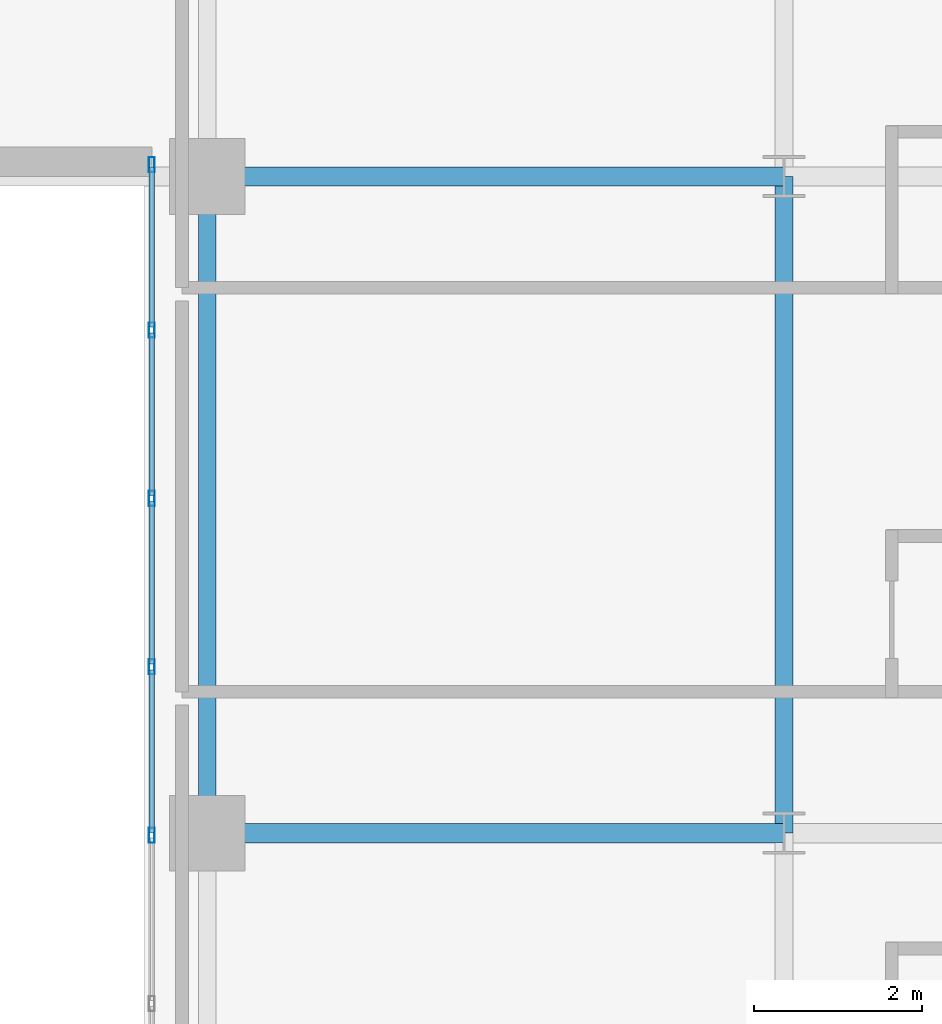
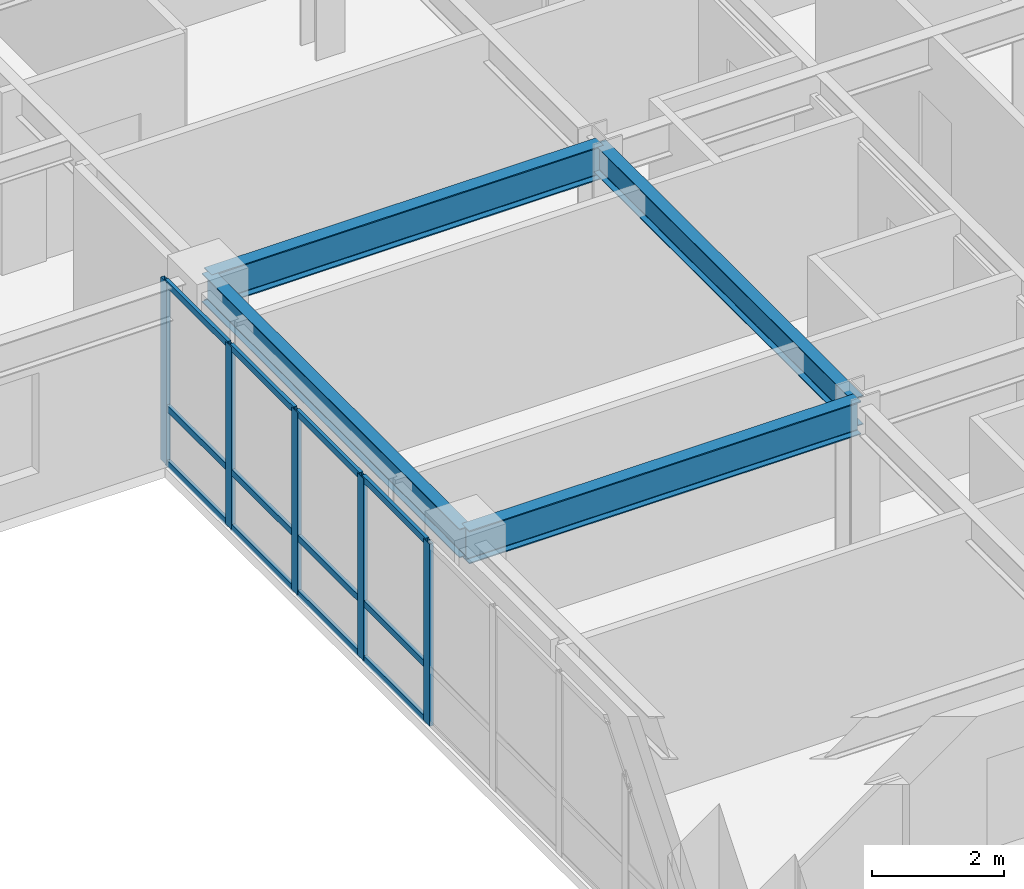
# One storey, part 7 of 16: 17 members, 4 beams, 1 element without a shape of its own.
"""IFC4 building model written with IfcOpenShell, lengths in metres."""

import ifcopenshell
import ifcopenshell.guid

model = None  # the IFC model being written
_history = None  # IfcOwnerHistory: only IFC2X3 demands one
_inside = {}  # id of a spatial element -> (the spatial element, [elements in it])
_under = {}  # id of a project, library or spatial element -> (it, [spatial elements below it])
_declared = {}  # id of a project -> (the project, [libraries it declares])
_typed = {}  # id of a type object -> (the type object, [elements of that type])
_made_of = {}  # id of a material, layer set ... -> (it, [elements and type objects made of it])


def new_model(schema):
    """Start an empty IFC model of exactly this schema.

    Asked for "IFC4X3", IfcOpenShell would pick the latest addendum, in which some entities
    have other attributes; the version numbers below select the first issue.
    IFC2X3 requires an IfcOwnerHistory on every rooted entity: one is made here for all.
    """
    global model, _history
    if schema == "IFC4X3":
        model = ifcopenshell.file(schema_version=(4, 3, 0, 0))
    else:
        model = ifcopenshell.file(schema=schema)
    _inside.clear()
    _under.clear()
    _declared.clear()
    _typed.clear()
    _made_of.clear()
    _history = None
    if model.schema == "IFC2X3":
        org = make("IfcOrganization", Name="unknown")
        user = make(
            "IfcPersonAndOrganization",
            ThePerson=make("IfcPerson", FamilyName="unknown"),
            TheOrganization=org,
        )
        app = make(
            "IfcApplication",
            ApplicationDeveloper=org,
            Version="unknown",
            ApplicationFullName="unknown",
            ApplicationIdentifier="unknown",
        )
        _history = make(
            "IfcOwnerHistory",
            OwningUser=user,
            OwningApplication=app,
            ChangeAction="ADDED",
            CreationDate=0,
        )
    return model


def make(cls, **values):
    """One entity of the class cls with the attributes given. An attribute that is None is left unset."""
    return model.create_entity(
        cls, **{name: value for name, value in values.items() if value is not None}
    )


def rooted(cls, **values):
    """An entity with a GlobalId (a new one), such as an element, a storey or a relation."""
    return make(cls, GlobalId=ifcopenshell.guid.new(), OwnerHistory=_history, **values)


def si_unit(unit_type, name, prefix=None):
    """IfcSIUnit, for example si_unit("LENGTHUNIT", "METRE", prefix="MILLI")."""
    return make("IfcSIUnit", UnitType=unit_type, Prefix=prefix, Name=name)


def assignment(units):
    """IfcUnitAssignment: the units of a project."""
    return None if units is None else make("IfcUnitAssignment", Units=units)


def point(xyz):
    """IfcCartesianPoint."""
    return None if xyz is None else make("IfcCartesianPoint", Coordinates=xyz)


def direction(xyz):
    """IfcDirection."""
    return None if xyz is None else make("IfcDirection", DirectionRatios=xyz)


def frame(location, z_axis=None, x_axis=None):
    """IfcAxis2Placement3D, a coordinate frame: its origin and axes. An axis left out is left unset."""
    return make(
        "IfcAxis2Placement3D",
        Location=point(location),
        Axis=direction(z_axis),
        RefDirection=direction(x_axis),
    )


def frame_2d(location, x_axis=None):
    """IfcAxis2Placement2D, a coordinate frame in the plane: its origin and x axis."""
    return make(
        "IfcAxis2Placement2D", Location=point(location), RefDirection=direction(x_axis)
    )


def origin():
    """The frame at (0, 0, 0) with its axes left unset."""
    return frame((0.0, 0.0, 0.0))


def origin_2d():
    """The frame at (0, 0) in the plane with its x axis left unset."""
    return frame_2d((0.0, 0.0))


def place(relative_to, where):
    """IfcLocalPlacement: puts the frame where relative to a parent placement (None: the world)."""
    return make(
        "IfcLocalPlacement", PlacementRelTo=relative_to, RelativePlacement=where
    )


def context(
    kind, dimensions, precision=None, world=None, true_north=None, identifier=None
):
    """IfcGeometricRepresentationContext, for example the 3D "Model" context."""
    return make(
        "IfcGeometricRepresentationContext",
        ContextIdentifier=identifier,
        ContextType=kind,
        CoordinateSpaceDimension=dimensions,
        Precision=precision,
        WorldCoordinateSystem=world,
        TrueNorth=true_north,
    )


def subcontext(parent, identifier, kind, view, scale=None):
    """IfcGeometricRepresentationSubContext, for example "Body" below "Model"."""
    return make(
        "IfcGeometricRepresentationSubContext",
        ContextIdentifier=identifier,
        ContextType=kind,
        ParentContext=parent,
        TargetScale=scale,
        TargetView=view,
    )


def project(units=None, contexts=None):
    """IfcProject with its units and contexts."""
    return rooted(
        "IfcProject",
        Name="project",
        RepresentationContexts=contexts,
        UnitsInContext=assignment(units),
    )


def spatial(cls, under=None, at=None, **own):
    """A site, building, storey or space (cls), placed at a placement, below another one or the project."""
    s = rooted(cls, ObjectPlacement=at, **own)
    if under is not None:
        _under.setdefault(under.id(), (under, []))[1].append(s)
    return s


def profile(cls, at=None, kind="AREA", **sizes):
    """A parametric profile (cls). Its sizes go by their IFC names, for example OverallWidth=200.0."""
    return make(cls, ProfileType=kind, Position=at, **sizes)


def hollow_rectangle(**sizes):
    """IfcRectangleHollowProfileDef."""
    return profile("IfcRectangleHollowProfileDef", **sizes)


def i_section(**sizes):
    """IfcIShapeProfileDef."""
    return profile("IfcIShapeProfileDef", **sizes)


def extrude(swept, where, along, depth):
    """IfcExtrudedAreaSolid: the profile swept, set in the frame where, extruded along a direction by depth."""
    return make(
        "IfcExtrudedAreaSolid",
        SweptArea=swept,
        Position=where,
        ExtrudedDirection=direction(along),
        Depth=depth,
    )


def shape(context_of_items, identifier, shape_type, items):
    """IfcShapeRepresentation: the items that make up one representation, for example the "Body"."""
    return make(
        "IfcShapeRepresentation",
        ContextOfItems=context_of_items,
        RepresentationIdentifier=identifier,
        RepresentationType=shape_type,
        Items=items,
    )


def source(mapping_origin, context_of_items, identifier, shape_type, items):
    """IfcRepresentationMap: a shape defined once, which mapped items show again and again."""
    return make(
        "IfcRepresentationMap",
        MappingOrigin=mapping_origin,
        MappedRepresentation=shape(context_of_items, identifier, shape_type, items),
    )


def transform(
    local_origin,
    x_axis=None,
    y_axis=None,
    z_axis=None,
    scale=None,
    scale2=None,
    scale3=None,
    uniform=True,
):
    """IfcCartesianTransformationOperator3D, or its non-uniform kind. x_axis, y_axis, z_axis: its Axis1, 2, 3."""
    if uniform:
        return make(
            "IfcCartesianTransformationOperator3D",
            Axis1=direction(x_axis),
            Axis2=direction(y_axis),
            LocalOrigin=point(local_origin),
            Scale=scale,
            Axis3=direction(z_axis),
        )
    return make(
        "IfcCartesianTransformationOperator3DnonUniform",
        Axis1=direction(x_axis),
        Axis2=direction(y_axis),
        LocalOrigin=point(local_origin),
        Scale=scale,
        Axis3=direction(z_axis),
        Scale2=scale2,
        Scale3=scale3,
    )


def mapped(mapping_source, mapping_target):
    """IfcMappedItem: shows the shape of a source again, moved by a transform."""
    return make(
        "IfcMappedItem", MappingSource=mapping_source, MappingTarget=mapping_target
    )


def material(Name=None, Category=None):
    """IfcMaterial."""
    return make("IfcMaterial", Name=Name, Category=Category)


def layer(
    of_material, thickness, ventilated=None, Name=None, Category=None, Priority=None
):
    """IfcMaterialLayer: one layer of a wall or slab, of a material (None: an air gap)."""
    return make(
        "IfcMaterialLayer",
        Material=of_material,
        LayerThickness=thickness,
        IsVentilated=ventilated,
        Name=Name,
        Category=Category,
        Priority=Priority,
    )


def layer_set(layers, Name=None):
    """IfcMaterialLayerSet."""
    return make("IfcMaterialLayerSet", MaterialLayers=layers, LayerSetName=Name)


def material_profile(
    of_material, cross_section, Name=None, Category=None, Priority=None
):
    """IfcMaterialProfile: a cross section and its material."""
    return make(
        "IfcMaterialProfile",
        Name=Name,
        Material=of_material,
        Profile=cross_section,
        Priority=Priority,
        Category=Category,
    )


def profile_set(profiles, Name=None, composite=None):
    """IfcMaterialProfileSet."""
    return make(
        "IfcMaterialProfileSet",
        Name=Name,
        MaterialProfiles=profiles,
        CompositeProfile=composite,
    )


def made_of(thing, what):
    """Note that an element or type object is made of a material, layer set ...; save() writes the relation."""
    if what is not None:
        _made_of.setdefault(what.id(), (what, []))[1].append(thing)
    return thing


def type_object(cls, material=None, **own):
    """A type object (cls), such as IfcWallType, which elements share."""
    return made_of(rooted(cls, **own), material)


def type_shapes(of_type, sources):
    """Give a type object the sources (RepresentationMaps) that its elements show as mapped items."""
    of_type.RepresentationMaps = sources


def element(
    cls,
    number,
    at=None,
    inside=None,
    cuts=None,
    type_object=None,
    material=None,
    context=None,
    identifier="Body",
    shape_type=None,
    held_by="IfcProductDefinitionShape",
    body=None,
    shapes=None,
    **own,
):
    """One element of the class cls, such as IfcWall. Its Tag is "e" and its number.

    at: its placement. inside: the storey or other place that contains it. cuts: it is an
    opening in that element (IfcRelVoidsElement). A single representation is given by context,
    identifier, shape_type and body (its items); several are given by shapes. held_by: the class
    of the entity that holds the representations. save() writes the other relations.
    """
    e = rooted(cls, Tag="e%d" % number, ObjectPlacement=at, **own)
    if body is not None:
        shapes = [shape(context, identifier, shape_type, body)]
    if shapes is not None:
        e.Representation = make(held_by, Representations=shapes)
    if inside is not None:
        _inside.setdefault(inside.id(), (inside, []))[1].append(e)
    if cuts is not None:
        rooted(
            "IfcRelVoidsElement", RelatingBuildingElement=cuts, RelatedOpeningElement=e
        )
    if type_object is not None:
        _typed.setdefault(type_object.id(), (type_object, []))[1].append(e)
    return made_of(e, material)


def aggregate(whole, parts):
    """IfcRelAggregates: a whole, such as a stair, and the parts it consists of."""
    return rooted("IfcRelAggregates", RelatingObject=whole, RelatedObjects=parts)


def save(model, path):
    """Write the relations noted so far, then the file.

    IfcRelAggregates (storeys below a building ...), IfcRelContainedInSpatialStructure (elements
    in a storey), IfcRelDefinesByType, IfcRelAssociatesMaterial and IfcRelDeclares: one each for
    every whole, place, type object, material and project.
    """
    for whole, parts in _under.values():
        aggregate(whole, parts)
    for where, things in _inside.values():
        rooted(
            "IfcRelContainedInSpatialStructure",
            RelatedElements=things,
            RelatingStructure=where,
        )
    for kind, things in _typed.values():
        rooted("IfcRelDefinesByType", RelatedObjects=things, RelatingType=kind)
    for what, things in _made_of.values():
        rooted("IfcRelAssociatesMaterial", RelatedObjects=things, RelatingMaterial=what)
    for by, libraries in _declared.values():
        rooted("IfcRelDeclares", RelatingContext=by, RelatedDefinitions=libraries)
    model.write(path)


model = new_model("IFC4")

# Units and contexts
model_context = context("Model", 3, precision=1e-05, world=origin(), true_north=direction((0.0, 1.0)))
body_context = subcontext(model_context, "Body", "Model", "MODEL_VIEW")
ifc_project = project(units=[si_unit("LENGTHUNIT", "METRE"), si_unit("AREAUNIT", "SQUARE_METRE"), si_unit("VOLUMEUNIT", "CUBIC_METRE"), si_unit("PLANEANGLEUNIT", "RADIAN"), si_unit("MASSUNIT", "GRAM", prefix="KILO")], contexts=[model_context])

# Site, building, storey
site_placement = place(None, origin())
site = spatial("IfcSite", under=ifc_project, at=site_placement, CompositionType="ELEMENT")
building_placement = place(site_placement, origin())
building = spatial("IfcBuilding", under=site, at=building_placement, Name="Tolvann Quenvar Hotel", CompositionType="ELEMENT")
storey_placement = place(building_placement, frame((0.0, 0.0, 115.10009765625)))
storey = spatial("IfcBuildingStorey", under=building, at=storey_placement, Name="L29", CompositionType="ELEMENT", Elevation=115.10009765625)

# Beams
ifc_material_1 = material(Name="Steel Grade 350", Category="steel")
ifc_material_profile_1 = material_profile(ifc_material_1, i_section(OverallWidth=0.22900390625, OverallDepth=0.612060546875, WebThickness=0.011962890625, FlangeThickness=0.01953125, FilletRadius=0.013916015625, at=origin_2d()), Name="610UB125")
ifc_profile_set_1 = profile_set([ifc_material_profile_1], Name="Steel Grade 350")
beam_type_1 = type_object("IfcBeamType", Name="BM_GIRD_610UB125", PredefinedType="BEAM", material=ifc_profile_set_1)
shared_shape_1 = source(origin(), body_context, "Body", "SweptSolid", [
    extrude(i_section(OverallWidth=0.22900390625, OverallDepth=0.612060546875, WebThickness=0.011962890625, FlangeThickness=0.01953125, FilletRadius=0.013916015625, at=origin_2d()), origin(), (0.0, 0.0, 1.0), 6.85009765625),
])
type_shapes(beam_type_1, [shared_shape_1])
for number, where, z_axis, x_axis, name in (
    (1, (34.949951171875, 8.199951171875, 3.06396484375), (1.0, 0.0, 0.0), (0.0, 1.0, 0.0), "BM-L29-EW-3-F3-H3"),
    (2, (34.949951171875, 16.0, 3.06396484375), (1.0, 0.0, 0.0), (0.0, 1.0, 0.0), "BM-L29-EW-4-F4-H4"),
):
    element("IfcBeam", number, at=place(storey_placement, frame(where, z_axis=z_axis, x_axis=x_axis)), inside=storey, type_object=beam_type_1, Name=name, PredefinedType="BEAM", context=body_context, shape_type="MappedRepresentation", body=[
        mapped(shared_shape_1, transform((0.0, 0.0, 0.0), x_axis=(1.0, 0.0, 0.0), y_axis=(0.0, 1.0, 0.0), z_axis=(0.0, 0.0, 1.0), scale=1.0)),
    ])
ifc_material_profile_2 = material_profile(ifc_material_1, i_section(OverallWidth=0.208984375, OverallDepth=0.532958984375, WebThickness=0.01025390625, FlangeThickness=0.015625, FilletRadius=0.013916015625, at=origin_2d()), Name="530UB92")
ifc_profile_set_2 = profile_set([ifc_material_profile_2], Name="Steel Grade 350")
beam_type_2 = type_object("IfcBeamType", Name="BM_GIRD_530UB92", PredefinedType="BEAM", material=ifc_profile_set_2)
shared_shape_2 = source(origin(), body_context, "Body", "SweptSolid", [
    extrude(i_section(OverallWidth=0.208984375, OverallDepth=0.532958984375, WebThickness=0.01025390625, FlangeThickness=0.015625, FilletRadius=0.013916015625, at=origin_2d()), origin(), (0.0, 0.0, 1.0), 7.800048828125),
])
type_shapes(beam_type_2, [shared_shape_2])
for number, where, z_axis, x_axis, name in (
    (3, (34.949951171875, 8.199951171875, 3.103515625), (0.0, 1.0, 0.0), (-1.0, 0.0, 0.0), "BM-L29-NS-F3-F4"),
    (4, (41.800048828125, 8.199951171875, 3.103515625), (0.0, 1.0, 0.0), (-1.0, 0.0, 0.0), "BM-L29-NS-H3-H4"),
):
    element("IfcBeam", number, at=place(storey_placement, frame(where, z_axis=z_axis, x_axis=x_axis)), inside=storey, type_object=beam_type_2, Name=name, PredefinedType="BEAM", context=body_context, shape_type="MappedRepresentation", body=[
        mapped(shared_shape_2, transform((0.0, 0.0, 0.0), x_axis=(1.0, 0.0, 0.0), y_axis=(0.0, 1.0, 0.0), z_axis=(0.0, 0.0, 1.0), scale=1.0)),
    ])

# Curtain wall, members
ifc_material_2 = material(Name="Thermally broken anodised architectural aluminium 6063-T6 and laminated low-E glass", Category="aluminium")
ifc_layer = layer(ifc_material_2, 0.179931640625)
ifc_layer_set = layer_set([ifc_layer], Name="Thermally broken anodised architectural aluminium 6063-T6 and laminated low-E glass")
curtain_wall_type = type_object("IfcCurtainWallType", Name="CW_SYS_SLOT_03", PredefinedType="USERDEFINED", material=ifc_layer_set)
curtain_wall_placement = place(storey_placement, origin())
curtain_wall = element("IfcCurtainWall", 5, at=curtain_wall_placement, inside=storey, type_object=curtain_wall_type, Name="Curtain Wall CW-SLOT-03 (CWR-L29-E07)", ObjectType="UNITISED CURTAIN WALL", PredefinedType="USERDEFINED")
ifc_material_3 = material(Name="Anodised architectural aluminium 6063-T6 framing", Category="aluminium")
ifc_material_profile_3 = material_profile(ifc_material_3, hollow_rectangle(XDim=0.06005859375, YDim=0.1201171875, WallThickness=0.00341796875, at=origin_2d()), Name="120x60x3.5RHS")
ifc_profile_set_3 = profile_set([ifc_material_profile_3], Name="Anodised architectural aluminium 6063-T6 framing")
member_type_1 = type_object("IfcMemberType", Name="CW_TRAN_120x60", PredefinedType="USERDEFINED", material=ifc_profile_set_3)
shared_shape_3 = source(origin(), body_context, "Body", "SweptSolid", [
    extrude(hollow_rectangle(XDim=0.06005859375, YDim=0.1201171875, WallThickness=0.00341796875, at=origin_2d()), origin(), (0.0, 0.0, 1.0), 1.929931640625),
])
member_1_placement = place(storey_placement, frame((34.2900390625, 14.139892578125, 0.02978515625), z_axis=(0.0, -1.0, 0.0), x_axis=(1.0, 0.0, 0.0)))
member_1 = element("IfcMember", 6, at=member_1_placement, type_object=member_type_1, Name="CW-SLOT-03 transom 2.1", ObjectType="TRANSOM", PredefinedType="USERDEFINED", context=body_context, shape_type="MappedRepresentation", body=[
    mapped(shared_shape_3, transform((0.0, 0.0, 0.0), x_axis=(1.0, 0.0, 0.0), y_axis=(0.0, 1.0, 0.0), z_axis=(0.0, 0.0, 1.0), scale=1.0)),
])
member_2_placement = place(storey_placement, frame((34.2900390625, 14.139892578125, 1.0498046875), z_axis=(0.0, -1.0, 0.0), x_axis=(1.0, 0.0, 0.0)))
member_2 = element("IfcMember", 7, at=member_2_placement, type_object=member_type_1, Name="CW-SLOT-03 transom 2.2", ObjectType="TRANSOM", PredefinedType="USERDEFINED", context=body_context, shape_type="MappedRepresentation", body=[
    mapped(shared_shape_3, transform((0.0, 0.0, 0.0), x_axis=(1.0, 0.0, 0.0), y_axis=(0.0, 1.0, 0.0), z_axis=(0.0, 0.0, 1.0), scale=1.0)),
])
member_3_placement = place(storey_placement, frame((34.2900390625, 14.139892578125, 3.33984375), z_axis=(0.0, -1.0, 0.0), x_axis=(1.0, 0.0, 0.0)))
member_3 = element("IfcMember", 8, at=member_3_placement, type_object=member_type_1, Name="CW-SLOT-03 transom 2.3", ObjectType="TRANSOM", PredefinedType="USERDEFINED", context=body_context, shape_type="MappedRepresentation", body=[
    mapped(shared_shape_3, transform((0.0, 0.0, 0.0), x_axis=(1.0, 0.0, 0.0), y_axis=(0.0, 1.0, 0.0), z_axis=(0.0, 0.0, 1.0), scale=1.0)),
])
member_4_placement = place(storey_placement, frame((34.2900390625, 12.139892578125, 0.02978515625), z_axis=(0.0, -1.0, 0.0), x_axis=(1.0, 0.0, 0.0)))
member_4 = element("IfcMember", 9, at=member_4_placement, type_object=member_type_1, Name="CW-SLOT-03 transom 3.1", ObjectType="TRANSOM", PredefinedType="USERDEFINED", context=body_context, shape_type="MappedRepresentation", body=[
    mapped(shared_shape_3, transform((0.0, 0.0, 0.0), x_axis=(1.0, 0.0, 0.0), y_axis=(0.0, 1.0, 0.0), z_axis=(0.0, 0.0, 1.0), scale=1.0)),
])
member_5_placement = place(storey_placement, frame((34.2900390625, 12.139892578125, 1.0498046875), z_axis=(0.0, -1.0, 0.0), x_axis=(1.0, 0.0, 0.0)))
member_5 = element("IfcMember", 10, at=member_5_placement, type_object=member_type_1, Name="CW-SLOT-03 transom 3.2", ObjectType="TRANSOM", PredefinedType="USERDEFINED", context=body_context, shape_type="MappedRepresentation", body=[
    mapped(shared_shape_3, transform((0.0, 0.0, 0.0), x_axis=(1.0, 0.0, 0.0), y_axis=(0.0, 1.0, 0.0), z_axis=(0.0, 0.0, 1.0), scale=1.0)),
])
member_6_placement = place(storey_placement, frame((34.2900390625, 12.139892578125, 3.33984375), z_axis=(0.0, -1.0, 0.0), x_axis=(1.0, 0.0, 0.0)))
member_6 = element("IfcMember", 11, at=member_6_placement, type_object=member_type_1, Name="CW-SLOT-03 transom 3.3", ObjectType="TRANSOM", PredefinedType="USERDEFINED", context=body_context, shape_type="MappedRepresentation", body=[
    mapped(shared_shape_3, transform((0.0, 0.0, 0.0), x_axis=(1.0, 0.0, 0.0), y_axis=(0.0, 1.0, 0.0), z_axis=(0.0, 0.0, 1.0), scale=1.0)),
])
member_7_placement = place(storey_placement, frame((34.2900390625, 10.139892578125, 0.02978515625), z_axis=(0.0, -1.0, 0.0), x_axis=(1.0, 0.0, 0.0)))
member_7 = element("IfcMember", 12, at=member_7_placement, type_object=member_type_1, Name="CW-SLOT-03 transom 4.1", ObjectType="TRANSOM", PredefinedType="USERDEFINED", context=body_context, shape_type="MappedRepresentation", body=[
    mapped(shared_shape_3, transform((0.0, 0.0, 0.0), x_axis=(1.0, 0.0, 0.0), y_axis=(0.0, 1.0, 0.0), z_axis=(0.0, 0.0, 1.0), scale=1.0)),
])
member_8_placement = place(storey_placement, frame((34.2900390625, 10.139892578125, 1.0498046875), z_axis=(0.0, -1.0, 0.0), x_axis=(1.0, 0.0, 0.0)))
member_8 = element("IfcMember", 13, at=member_8_placement, type_object=member_type_1, Name="CW-SLOT-03 transom 4.2", ObjectType="TRANSOM", PredefinedType="USERDEFINED", context=body_context, shape_type="MappedRepresentation", body=[
    mapped(shared_shape_3, transform((0.0, 0.0, 0.0), x_axis=(1.0, 0.0, 0.0), y_axis=(0.0, 1.0, 0.0), z_axis=(0.0, 0.0, 1.0), scale=1.0)),
])
member_9_placement = place(storey_placement, frame((34.2900390625, 10.139892578125, 3.33984375), z_axis=(0.0, -1.0, 0.0), x_axis=(1.0, 0.0, 0.0)))
member_9 = element("IfcMember", 14, at=member_9_placement, type_object=member_type_1, Name="CW-SLOT-03 transom 4.3", ObjectType="TRANSOM", PredefinedType="USERDEFINED", context=body_context, shape_type="MappedRepresentation", body=[
    mapped(shared_shape_3, transform((0.0, 0.0, 0.0), x_axis=(1.0, 0.0, 0.0), y_axis=(0.0, 1.0, 0.0), z_axis=(0.0, 0.0, 1.0), scale=1.0)),
])
shared_shape_4 = source(origin(), body_context, "Body", "SweptSolid", [
    extrude(hollow_rectangle(XDim=0.06005859375, YDim=0.1201171875, WallThickness=0.00341796875, at=origin_2d()), origin(), (0.0, 0.0, 1.0), 1.89501953125),
])
type_shapes(member_type_1, [shared_shape_3, shared_shape_4])
member_10_placement = place(storey_placement, frame((34.2900390625, 16.10498046875, 0.02978515625), z_axis=(0.0, -1.0, 0.0), x_axis=(1.0, 0.0, 0.0)))
member_10 = element("IfcMember", 15, at=member_10_placement, type_object=member_type_1, Name="CW-SLOT-03 transom 1.1", ObjectType="TRANSOM", PredefinedType="USERDEFINED", context=body_context, shape_type="MappedRepresentation", body=[
    mapped(shared_shape_4, transform((0.0, 0.0, 0.0), x_axis=(1.0, 0.0, 0.0), y_axis=(0.0, 1.0, 0.0), z_axis=(0.0, 0.0, 1.0), scale=1.0)),
])
member_11_placement = place(storey_placement, frame((34.2900390625, 16.10498046875, 1.0498046875), z_axis=(0.0, -1.0, 0.0), x_axis=(1.0, 0.0, 0.0)))
member_11 = element("IfcMember", 16, at=member_11_placement, type_object=member_type_1, Name="CW-SLOT-03 transom 1.2", ObjectType="TRANSOM", PredefinedType="USERDEFINED", context=body_context, shape_type="MappedRepresentation", body=[
    mapped(shared_shape_4, transform((0.0, 0.0, 0.0), x_axis=(1.0, 0.0, 0.0), y_axis=(0.0, 1.0, 0.0), z_axis=(0.0, 0.0, 1.0), scale=1.0)),
])
member_12_placement = place(storey_placement, frame((34.2900390625, 16.10498046875, 3.33984375), z_axis=(0.0, -1.0, 0.0), x_axis=(1.0, 0.0, 0.0)))
member_12 = element("IfcMember", 17, at=member_12_placement, type_object=member_type_1, Name="CW-SLOT-03 transom 1.3", ObjectType="TRANSOM", PredefinedType="USERDEFINED", context=body_context, shape_type="MappedRepresentation", body=[
    mapped(shared_shape_4, transform((0.0, 0.0, 0.0), x_axis=(1.0, 0.0, 0.0), y_axis=(0.0, 1.0, 0.0), z_axis=(0.0, 0.0, 1.0), scale=1.0)),
])
ifc_material_profile_4 = material_profile(ifc_material_3, hollow_rectangle(XDim=0.070068359375, YDim=0.179931640625, WallThickness=0.00390625, at=origin_2d()), Name="180x70x4RHS")
ifc_profile_set_4 = profile_set([ifc_material_profile_4], Name="Anodised architectural aluminium 6063-T6 framing")
member_type_2 = type_object("IfcMemberType", Name="CW_MULL_180x70", PredefinedType="MULLION", material=ifc_profile_set_4)
shared_shape_5 = source(origin(), body_context, "Body", "SweptSolid", [
    extrude(hollow_rectangle(XDim=0.070068359375, YDim=0.179931640625, WallThickness=0.00390625, at=origin_2d()), origin(), (0.0, 0.0, 1.0), 3.369873046875),
])
type_shapes(member_type_2, [shared_shape_5])
member_13_placement = place(storey_placement, frame((34.2900390625, 16.139892578125, 0.0), z_axis=(0.0, 0.0, 1.0), x_axis=(1.0, 0.0, 0.0)))
member_13 = element("IfcMember", 18, at=member_13_placement, type_object=member_type_2, Name="CW-SLOT-03 mullion 1", PredefinedType="MULLION", context=body_context, shape_type="MappedRepresentation", body=[
    mapped(shared_shape_5, transform((0.0, 0.0, 0.0), x_axis=(1.0, 0.0, 0.0), y_axis=(0.0, 1.0, 0.0), z_axis=(0.0, 0.0, 1.0), scale=1.0)),
])
member_14_placement = place(storey_placement, frame((34.2900390625, 14.175048828125, 0.0), z_axis=(0.0, 0.0, 1.0), x_axis=(1.0, 0.0, 0.0)))
member_14 = element("IfcMember", 19, at=member_14_placement, type_object=member_type_2, Name="CW-SLOT-03 mullion 2", PredefinedType="MULLION", context=body_context, shape_type="MappedRepresentation", body=[
    mapped(shared_shape_5, transform((0.0, 0.0, 0.0), x_axis=(1.0, 0.0, 0.0), y_axis=(0.0, 1.0, 0.0), z_axis=(0.0, 0.0, 1.0), scale=1.0)),
])
member_15_placement = place(storey_placement, frame((34.2900390625, 12.175048828125, 0.0), z_axis=(0.0, 0.0, 1.0), x_axis=(1.0, 0.0, 0.0)))
member_15 = element("IfcMember", 20, at=member_15_placement, type_object=member_type_2, Name="CW-SLOT-03 mullion 3", PredefinedType="MULLION", context=body_context, shape_type="MappedRepresentation", body=[
    mapped(shared_shape_5, transform((0.0, 0.0, 0.0), x_axis=(1.0, 0.0, 0.0), y_axis=(0.0, 1.0, 0.0), z_axis=(0.0, 0.0, 1.0), scale=1.0)),
])
member_16_placement = place(storey_placement, frame((34.2900390625, 10.175048828125, 0.0), z_axis=(0.0, 0.0, 1.0), x_axis=(1.0, 0.0, 0.0)))
member_16 = element("IfcMember", 21, at=member_16_placement, type_object=member_type_2, Name="CW-SLOT-03 mullion 4", PredefinedType="MULLION", context=body_context, shape_type="MappedRepresentation", body=[
    mapped(shared_shape_5, transform((0.0, 0.0, 0.0), x_axis=(1.0, 0.0, 0.0), y_axis=(0.0, 1.0, 0.0), z_axis=(0.0, 0.0, 1.0), scale=1.0)),
])
member_17_placement = place(storey_placement, frame((34.2900390625, 8.175048828125, 0.0), z_axis=(0.0, 0.0, 1.0), x_axis=(1.0, 0.0, 0.0)))
member_17 = element("IfcMember", 22, at=member_17_placement, type_object=member_type_2, Name="CW-SLOT-03 mullion 5", PredefinedType="MULLION", context=body_context, shape_type="MappedRepresentation", body=[
    mapped(shared_shape_5, transform((0.0, 0.0, 0.0), x_axis=(1.0, 0.0, 0.0), y_axis=(0.0, 1.0, 0.0), z_axis=(0.0, 0.0, 1.0), scale=1.0)),
])
aggregate(curtain_wall, [member_13, member_14, member_15, member_16, member_17, member_10, member_11, member_12, member_1, member_2, member_3, member_4, member_5, member_6, member_7, member_8, member_9])

save(model, "model.ifc")
